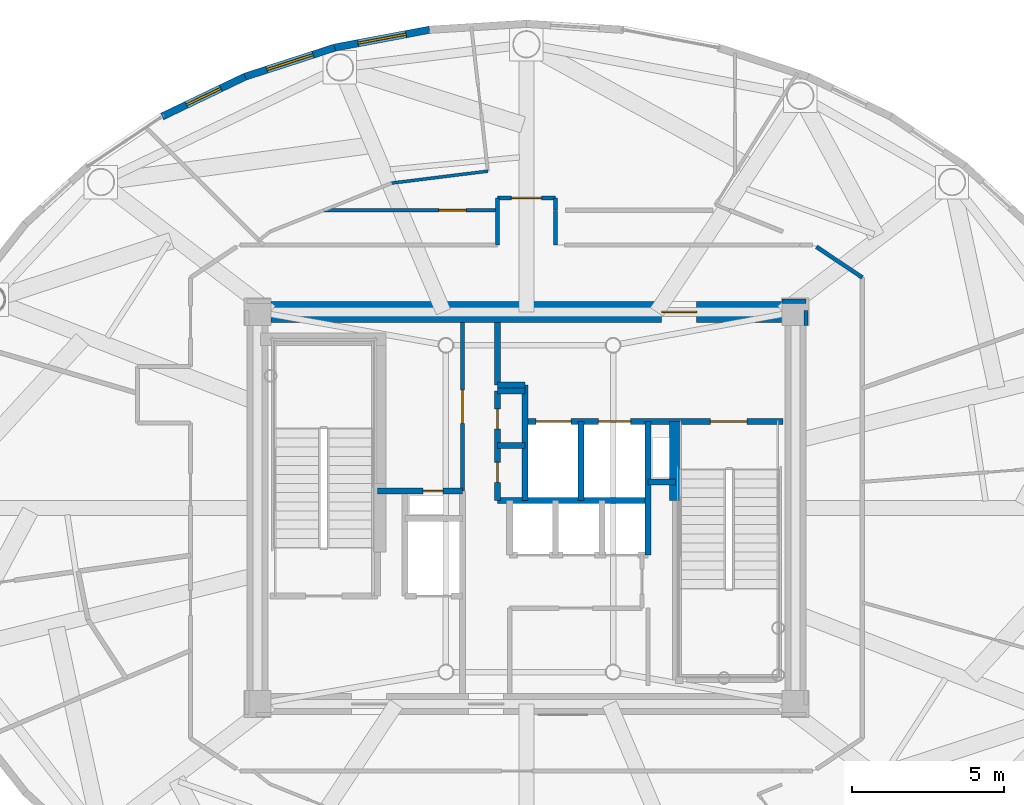
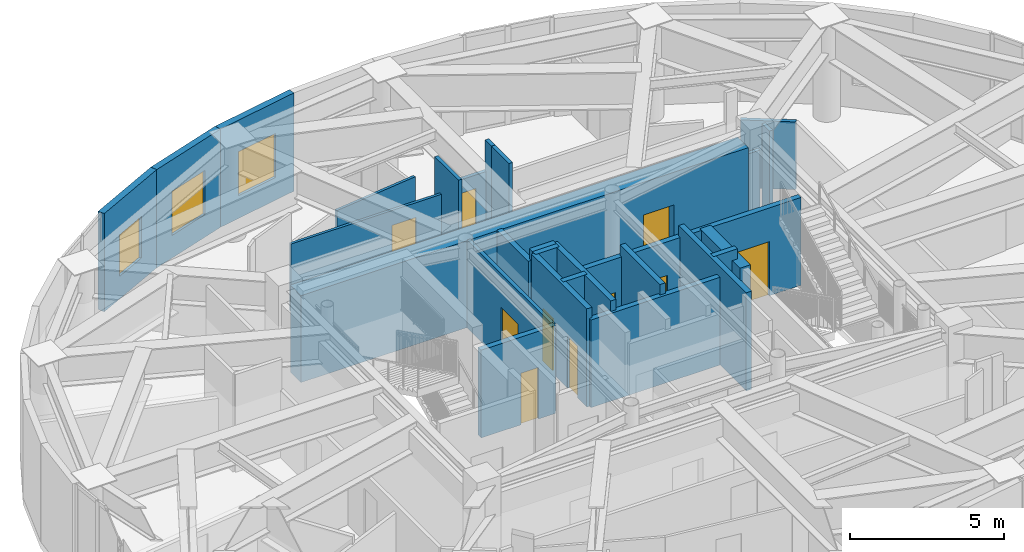
# One storey, part 16 of 23: 27 walls, 10 doors, 3 windows, 13 openings.
"""IFC4 building model written with IfcOpenShell, lengths in metres."""

from ifc_helpers import new_model, si_unit, direction, frame, frame_2d, origin, origin_2d, place, context, subcontext, project, spatial, rectangle, extrude, source, transform, mapped, material, layer, layer_set, type_object, element, fill, save


model = new_model("IFC4")

# Units and contexts
model_context = context("Model", 3, precision=1e-05, world=origin(), true_north=direction((0.0, 1.0)))
body_context = subcontext(model_context, "Body", "Model", "MODEL_VIEW")
ifc_project = project(units=[si_unit("LENGTHUNIT", "METRE"), si_unit("AREAUNIT", "SQUARE_METRE"), si_unit("VOLUMEUNIT", "CUBIC_METRE"), si_unit("PLANEANGLEUNIT", "RADIAN"), si_unit("MASSUNIT", "GRAM", prefix="KILO")], contexts=[model_context])

# Site, building, storey
site_placement = place(None, origin())
site = spatial("IfcSite", under=ifc_project, at=site_placement, CompositionType="ELEMENT")
building_placement = place(site_placement, origin())
building = spatial("IfcBuilding", under=site, at=building_placement, Name="Linh Dai School and Residence Tower", CompositionType="ELEMENT")
storey_placement = place(building_placement, frame((0.0, 0.0, 359.39990234375)))
storey = spatial("IfcBuildingStorey", under=building, at=storey_placement, Name="L89", CompositionType="ELEMENT", Elevation=359.39990234375)

# Wall, opening, window
ifc_material_1 = material(Name="Precast Concrete B45 (C35/45)", Category="concrete")
ifc_layer_1 = layer(ifc_material_1, 0.239990234375)
ifc_layer_set_1 = layer_set([ifc_layer_1], Name="Precast Concrete B45 (C35/45)")
wall_type_1 = type_object("IfcWallType", Name="EW-TC-240", PredefinedType="SOLIDWALL", material=ifc_layer_set_1)
wall_1_placement = place(storey_placement, frame((29.696044921875, 42.14794921875, 0.0), z_axis=(0.0, 0.0, 1.0), x_axis=(0.98276643264, 0.184851667226, 0.0)))
wall_1 = element("IfcWall", 1, at=wall_1_placement, inside=storey, type_object=wall_type_1, Name="L89 Terracotta Exterior Wall 12", PredefinedType="SOLIDWALL", context=body_context, shape_type="SweptSolid", body=[
    extrude(rectangle(XDim=3.167236328125, YDim=0.239990234375, at=frame_2d((1.58349609375, 0.0))), origin(), (0.0, 0.0, 1.0), 3.900146484375),
])
opening_1_placement = place(wall_1_placement, frame((0.78369140625, 0.0, 0.89990234375)))
opening_1 = element("IfcOpeningElement", 2, at=opening_1_placement, cuts=wall_1, Name="Opening W2", PredefinedType="OPENING", context=body_context, shape_type="SweptSolid", body=[
    extrude(rectangle(XDim=1.60009765625, YDim=1.75, at=origin_2d()), frame((0.800048828125, 0.1298828125, 0.875), z_axis=(0.0, -1.0, 0.0), x_axis=(1.0, 0.0, 0.0)), (0.0, 0.0, 1.0), 0.260009765625),
])
ifc_material_2 = material(Name="Double Low-E Insulated Glazing", Category="glass")
window_type_1 = type_object("IfcWindowType", Name="WN-RES-1600x1750", PartitioningType="DOUBLE_PANEL_VERTICAL", PredefinedType="WINDOW", material=ifc_material_2)
shared_shape_1 = source(origin(), body_context, "Body", "SweptSolid", [
    extrude(rectangle(XDim=1.60009765625, YDim=1.75, at=origin_2d()), frame((0.800048828125, 0.030029296875, 0.875), z_axis=(0.0, -1.0, 0.0), x_axis=(1.0, 0.0, 0.0)), (0.0, 0.0, 1.0), 0.06005859375),
])
window_1_placement = place(opening_1_placement, origin())
window_1 = element("IfcWindow", 3, at=window_1_placement, inside=storey, type_object=window_type_1, Name="L89 Exterior Window 12.1", OverallHeight=1.75, OverallWidth=1.60009765625, PartitioningType="DOUBLE_PANEL_VERTICAL", PredefinedType="WINDOW", context=body_context, shape_type="MappedRepresentation", body=[
    mapped(shared_shape_1, transform((0.0, 0.0, 0.0), x_axis=(1.0, 0.0, 0.0), y_axis=(0.0, 1.0, 0.0), z_axis=(0.0, 0.0, 1.0), scale=1.0)),
])
fill(opening_1, window_1)

wall_2_placement = place(storey_placement, frame((26.739501953125, 41.18896484375, 0.0), z_axis=(0.0, 0.0, 1.0), x_axis=(0.951212850731, 0.308535431682, 0.0)))
wall_2 = element("IfcWall", 4, at=wall_2_placement, inside=storey, type_object=wall_type_1, Name="L89 Terracotta Exterior Wall 13", PredefinedType="SOLIDWALL", context=body_context, shape_type="SweptSolid", body=[
    extrude(rectangle(XDim=3.108154296875, YDim=0.239990234375, at=frame_2d((1.55419921875, 0.0))), origin(), (0.0, 0.0, 1.0), 3.900146484375),
])
opening_2_placement = place(wall_2_placement, frame((0.754150390625, 0.0, 0.89990234375)))
opening_2 = element("IfcOpeningElement", 5, at=opening_2_placement, cuts=wall_2, Name="Opening W2", PredefinedType="OPENING", context=body_context, shape_type="SweptSolid", body=[
    extrude(rectangle(XDim=1.60009765625, YDim=1.75, at=origin_2d()), frame((0.800048828125, 0.1298828125, 0.875), z_axis=(0.0, -1.0, 0.0), x_axis=(1.0, 0.0, 0.0)), (0.0, 0.0, 1.0), 0.260009765625),
])
window_2_placement = place(opening_2_placement, origin())
window_2 = element("IfcWindow", 6, at=window_2_placement, inside=storey, type_object=window_type_1, Name="L89 Exterior Window 13.1", OverallHeight=1.75, OverallWidth=1.60009765625, PartitioningType="DOUBLE_PANEL_VERTICAL", PredefinedType="WINDOW", context=body_context, shape_type="MappedRepresentation", body=[
    mapped(shared_shape_1, transform((0.0, 0.0, 0.0), x_axis=(1.0, 0.0, 0.0), y_axis=(0.0, 1.0, 0.0), z_axis=(0.0, 0.0, 1.0), scale=1.0)),
])
fill(opening_2, window_2)

wall_3_placement = place(storey_placement, frame((24.01220703125, 39.880126953125, 0.0), z_axis=(0.0, 0.0, 1.0), x_axis=(0.901557057889, 0.432660226241, 0.0)))
wall_3 = element("IfcWall", 7, at=wall_3_placement, inside=storey, type_object=wall_type_1, Name="L89 Terracotta Exterior Wall 14", PredefinedType="SOLIDWALL", context=body_context, shape_type="SweptSolid", body=[
    extrude(rectangle(XDim=3.025146484375, YDim=0.239990234375, at=frame_2d((1.5126953125, 0.0))), origin(), (0.0, 0.0, 1.0), 3.900146484375),
])
opening_3_placement = place(wall_3_placement, frame((0.8876953125, 0.0, 0.89990234375)))
opening_3 = element("IfcOpeningElement", 8, at=opening_3_placement, cuts=wall_3, Name="Opening W3", PredefinedType="OPENING", context=body_context, shape_type="SweptSolid", body=[
    extrude(rectangle(XDim=1.25, YDim=1.64990234375, at=origin_2d()), frame((0.625, 0.1298828125, 0.824951171875), z_axis=(0.0, -1.0, 0.0), x_axis=(1.0, 0.0, 0.0)), (0.0, 0.0, 1.0), 0.260009765625),
])
window_type_2 = type_object("IfcWindowType", Name="WN-RES-1250x1650", PartitioningType="SINGLE_PANEL", PredefinedType="WINDOW", material=ifc_material_2)
shared_shape_2 = source(origin(), body_context, "Body", "SweptSolid", [
    extrude(rectangle(XDim=1.25, YDim=1.64990234375, at=origin_2d()), frame((0.625, 0.030029296875, 0.824951171875), z_axis=(0.0, -1.0, 0.0), x_axis=(1.0, 0.0, 0.0)), (0.0, 0.0, 1.0), 0.06005859375),
])
window_3_placement = place(opening_3_placement, origin())
window_3 = element("IfcWindow", 9, at=window_3_placement, inside=storey, type_object=window_type_2, Name="L89 Exterior Window 14.1", OverallHeight=1.64990234375, OverallWidth=1.25, PartitioningType="SINGLE_PANEL", PredefinedType="WINDOW", context=body_context, shape_type="MappedRepresentation", body=[
    mapped(shared_shape_2, transform((0.0, 0.0, 0.0), x_axis=(1.0, 0.0, 0.0), y_axis=(0.0, 1.0, 0.0), z_axis=(0.0, 0.0, 1.0), scale=1.0)),
])
fill(opening_3, window_3)

# Wall, opening, door
ifc_material_3 = material(Name="Autoclaved Aerated Concrete Blockwork", Category="masonry")
ifc_layer_2 = layer(ifc_material_3, 0.135009765625)
ifc_layer_set_2 = layer_set([ifc_layer_2], Name="Autoclaved Aerated Concrete Blockwork")
wall_type_2 = type_object("IfcWallType", Name="IW-CORR-135-EI90", PredefinedType="PARTITIONING", material=ifc_layer_set_2)
wall_4_placement = place(storey_placement, frame((33.89990234375, 27.56005859375, 0.0), z_axis=(0.0, 0.0, 1.0), x_axis=(0.0, 1.0, 0.0)))
wall_4 = element("IfcWall", 10, at=wall_4_placement, inside=storey, type_object=wall_type_2, Name="L89 Interior Partition Wall 032", PredefinedType="PARTITIONING", context=body_context, shape_type="SweptSolid", body=[
    extrude(rectangle(XDim=5.5400390625, YDim=0.135009765625, at=frame_2d((2.77001953125, 0.0))), origin(), (0.0, 0.0, 1.0), 3.485107421875),
])
opening_4_placement = place(wall_4_placement, frame((2.219970703125, 0.0, 0.0)))
opening_4 = element("IfcOpeningElement", 11, at=opening_4_placement, cuts=wall_4, Name="Opening D07", PredefinedType="OPENING", context=body_context, shape_type="SweptSolid", body=[
    extrude(rectangle(XDim=1.10009765625, YDim=2.14990234375, at=origin_2d()), frame((0.550048828125, 0.07763671875, 1.074951171875), z_axis=(0.0, -1.0, 0.0), x_axis=(1.0, 0.0, 0.0)), (0.0, 0.0, 1.0), 0.155029296875),
])
ifc_material_4 = material(Name="Fire-Rated Louvred Steel Plant Door", Category="steel")
door_type_1 = type_object("IfcDoorType", Name="DR-PLT-1100x2150-FD60S", OperationType="NOTDEFINED", PredefinedType="DOOR", material=ifc_material_4)
shared_shape_3 = source(origin(), body_context, "Body", "SweptSolid", [
    extrude(rectangle(XDim=1.10009765625, YDim=2.14990234375, at=origin_2d()), frame((0.550048828125, 0.02490234375, 1.074951171875), z_axis=(0.0, -1.0, 0.0), x_axis=(1.0, 0.0, 0.0)), (0.0, 0.0, 1.0), 0.050048828125),
])
door_1_placement = place(opening_4_placement, origin())
door_1 = element("IfcDoor", 12, at=door_1_placement, inside=storey, type_object=door_type_1, Name="L89 High-Zone Housekeeping Suite Door", OperationType="SINGLE_SWING_RIGHT", OverallHeight=2.14990234375, OverallWidth=1.10009765625, PredefinedType="DOOR", context=body_context, shape_type="MappedRepresentation", body=[
    mapped(shared_shape_3, transform((0.0, 0.0, 0.0), x_axis=(1.0, 0.0, 0.0), y_axis=(0.0, 1.0, 0.0), z_axis=(0.0, 0.0, 1.0), scale=1.0)),
])
fill(opening_4, door_1)

# Wall
wall_5_placement = place(storey_placement, frame((35.050048828125, 35.64990234375, 0.0), z_axis=(0.0, 0.0, 1.0), x_axis=(0.0, 1.0, 0.0)))
element("IfcWall", 13, at=wall_5_placement, inside=storey, type_object=wall_type_2, Name="L89 Interior Partition Wall 040", PredefinedType="PARTITIONING", context=body_context, shape_type="SweptSolid", body=[
    extrude(rectangle(XDim=1.550048828125, YDim=0.135009765625, at=frame_2d((0.77490234375, 0.0))), origin(), (0.0, 0.0, 1.0), 3.900146484375),
])

# Wall, opening, door
wall_6_placement = place(storey_placement, frame((35.050048828125, 37.199951171875, 0.0), z_axis=(0.0, 0.0, 1.0), x_axis=(1.0, 0.0, 0.0)))
wall_6 = element("IfcWall", 14, at=wall_6_placement, inside=storey, type_object=wall_type_2, Name="L89 Interior Partition Wall 041", PredefinedType="PARTITIONING", context=body_context, shape_type="SweptSolid", body=[
    extrude(rectangle(XDim=1.89990234375, YDim=0.135009765625, at=frame_2d((0.949951171875, 0.0))), origin(), (0.0, 0.0, 1.0), 2.68505859375),
])
opening_5_placement = place(wall_6_placement, frame((0.449951171875, 0.0, 0.0)))
opening_5 = element("IfcOpeningElement", 15, at=opening_5_placement, cuts=wall_6, Name="Opening D03", PredefinedType="OPENING", context=body_context, shape_type="SweptSolid", body=[
    extrude(rectangle(XDim=1.0, YDim=2.14990234375, at=origin_2d()), frame((0.5, 0.07763671875, 1.074951171875), z_axis=(0.0, -1.0, 0.0), x_axis=(1.0, 0.0, 0.0)), (0.0, 0.0, 1.0), 0.155029296875),
])
ifc_material_5 = material(Name="Fire-Rated Solid Timber Entrance Door", Category="wood")
door_type_2 = type_object("IfcDoorType", Name="DR-FLAT-1000x2150-FD60S", OperationType="NOTDEFINED", PredefinedType="DOOR", material=ifc_material_5)
shared_shape_4 = source(origin(), body_context, "Body", "SweptSolid", [
    extrude(rectangle(XDim=1.0, YDim=2.14990234375, at=origin_2d()), frame((0.5, 0.02490234375, 1.074951171875), z_axis=(0.0, -1.0, 0.0), x_axis=(1.0, 0.0, 0.0)), (0.0, 0.0, 1.0), 0.050048828125),
])
door_2_placement = place(opening_5_placement, origin())
door_2 = element("IfcDoor", 16, at=door_2_placement, inside=storey, type_object=door_type_2, Name="L89 U8902 Apartment Entrance Door", OperationType="SINGLE_SWING_RIGHT", OverallHeight=2.14990234375, OverallWidth=1.0, PredefinedType="DOOR", context=body_context, shape_type="MappedRepresentation", body=[
    mapped(shared_shape_4, transform((0.0, 0.0, 0.0), x_axis=(1.0, 0.0, 0.0), y_axis=(0.0, 1.0, 0.0), z_axis=(0.0, 0.0, 1.0), scale=1.0)),
])
fill(opening_5, door_2)

# Walls
wall_7_placement = place(storey_placement, frame((36.949951171875, 36.794921875, 0.0), z_axis=(0.0, 0.0, 1.0), x_axis=(0.0, 1.0, 0.0)))
element("IfcWall", 17, at=wall_7_placement, inside=storey, type_object=wall_type_2, Name="L89 Interior Partition Wall 051", PredefinedType="PARTITIONING", context=body_context, shape_type="SweptSolid", body=[
    extrude(rectangle(XDim=0.405029296875, YDim=0.135009765625, at=frame_2d((0.20263671875, 0.0))), origin(), (0.0, 0.0, 1.0), 3.900146484375),
])
wall_8_placement = place(storey_placement, frame((45.541259765625, 35.591796875, 0.0), z_axis=(0.0, 0.0, 1.0), x_axis=(0.831180227396, -0.556003084151, 0.0)))
element("IfcWall", 18, at=wall_8_placement, inside=storey, type_object=wall_type_2, Name="L89 Interior Partition Wall 069", PredefinedType="PARTITIONING", context=body_context, shape_type="SweptSolid", body=[
    extrude(rectangle(XDim=1.815185546875, YDim=0.135009765625, at=frame_2d((0.90771484375, 0.0))), origin(), (0.0, 0.0, 1.0), 2.68505859375),
])
wall_9_placement = place(storey_placement, frame((36.949951171875, 36.784912109375, 0.0), z_axis=(0.0, 0.0, 1.0), x_axis=(0.0, -1.0, 0.0)))
element("IfcWall", 19, at=wall_9_placement, inside=storey, type_object=wall_type_2, Name="L89 Interior Partition Wall 076", PredefinedType="PARTITIONING", context=body_context, shape_type="SweptSolid", body=[
    extrude(rectangle(XDim=1.135009765625, YDim=0.135009765625, at=frame_2d((0.5673828125, 0.0))), origin(), (0.0, 0.0, 1.0), 3.900146484375),
])
wall_10_placement = place(storey_placement, frame((45.199951171875, 33.800048828125, 0.0), z_axis=(0.0, 0.0, 1.0), x_axis=(-1.0, 0.0, 0.0)))
element("IfcWall", 20, at=wall_10_placement, inside=storey, type_object=wall_type_2, Name="L89 Interior Partition Wall 079", PredefinedType="PARTITIONING", context=body_context, shape_type="SweptSolid", body=[
    extrude(rectangle(XDim=0.7900390625, YDim=0.135009765625, at=frame_2d((0.39501953125, 0.0))), origin(), (0.0, 0.0, 1.0), 2.68505859375),
])
wall_11_placement = place(storey_placement, frame((45.199951171875, 33.010009765625, 0.0), z_axis=(0.0, 0.0, 1.0), x_axis=(0.0, 1.0, 0.0)))
element("IfcWall", 21, at=wall_11_placement, inside=storey, type_object=wall_type_2, Name="L89 Interior Partition Wall 086", PredefinedType="PARTITIONING", context=body_context, shape_type="SweptSolid", body=[
    extrude(rectangle(XDim=0.482421875, YDim=0.135009765625, at=frame_2d((0.2412109375, 0.0))), origin(), (0.0, 0.0, 1.0), 3.900146484375),
])

# Wall, opening, door
ifc_material_6 = material(Name="Concrete B45 (C35/45)", Category="concrete")
ifc_layer_3 = layer(ifc_material_6, 0.199951171875)
ifc_layer_set_3 = layer_set([ifc_layer_3], Name="Concrete B45 (C35/45)")
wall_type_3 = type_object("IfcWallType", Name="IW-SHAFT-200-EI120", PredefinedType="PARTITIONING", material=ifc_layer_set_3)
wall_12_placement = place(storey_placement, frame((31.10009765625, 27.550048828125, 0.0), z_axis=(0.0, 0.0, 1.0), x_axis=(1.0, 0.0, 0.0)))
wall_12 = element("IfcWall", 22, at=wall_12_placement, inside=storey, type_object=wall_type_3, Name="L89 Interior Partition Wall 025", PredefinedType="PARTITIONING", context=body_context, shape_type="SweptSolid", body=[
    extrude(rectangle(XDim=2.7998046875, YDim=0.199951171875, at=frame_2d((1.39990234375, 0.0))), origin(), (0.0, 0.0, 1.0), 3.485107421875),
])
opening_6_placement = place(wall_12_placement, frame((1.5, 0.0, 0.0)))
opening_6 = element("IfcOpeningElement", 23, at=opening_6_placement, cuts=wall_12, Name="Opening AD1", PredefinedType="OPENING", context=body_context, shape_type="SweptSolid", body=[
    extrude(rectangle(XDim=0.659912109375, YDim=2.050048828125, at=origin_2d()), frame((0.330078125, 0.10986328125, 1.02490234375), z_axis=(0.0, -1.0, 0.0), x_axis=(1.0, 0.0, 0.0)), (0.0, 0.0, 1.0), 0.219970703125),
])
ifc_material_7 = material(Name="Fire-Rated Steel Riser Access Door", Category="steel")
door_type_3 = type_object("IfcDoorType", Name="DR-ACC-660x2050-FD90S", OperationType="NOTDEFINED", PredefinedType="USERDEFINED", material=ifc_material_7)
shared_shape_5 = source(origin(), body_context, "Body", "SweptSolid", [
    extrude(rectangle(XDim=0.659912109375, YDim=2.050048828125, at=origin_2d()), frame((0.330078125, 0.02490234375, 1.02490234375), z_axis=(0.0, -1.0, 0.0), x_axis=(1.0, 0.0, 0.0)), (0.0, 0.0, 1.0), 0.050048828125),
])
door_3_placement = place(opening_6_placement, origin())
door_3 = element("IfcDoor", 24, at=door_3_placement, inside=storey, type_object=door_type_3, Name="L89 Main Electrical Riser Access Door", ObjectType="ACCESS DOOR", OperationType="SINGLE_SWING_RIGHT", OverallHeight=2.050048828125, OverallWidth=0.659912109375, PredefinedType="USERDEFINED", context=body_context, shape_type="MappedRepresentation", body=[
    mapped(shared_shape_5, transform((0.0, 0.0, 0.0), x_axis=(1.0, 0.0, 0.0), y_axis=(0.0, 1.0, 0.0), z_axis=(0.0, 0.0, 1.0), scale=1.0)),
])
fill(opening_6, door_3)

# Wall, openings, doors
wall_13_placement = place(storey_placement, frame((35.050048828125, 27.25, 0.0), z_axis=(0.0, 0.0, 1.0), x_axis=(0.0, 1.0, 0.0)))
wall_13 = element("IfcWall", 25, at=wall_13_placement, inside=storey, type_object=wall_type_3, Name="L89 Interior Partition Wall 034", PredefinedType="PARTITIONING", context=body_context, shape_type="SweptSolid", body=[
    extrude(rectangle(XDim=3.60009765625, YDim=0.199951171875, at=frame_2d((1.800048828125, 0.0))), origin(), (0.0, 0.0, 1.0), 3.900146484375),
])
opening_7_placement = place(wall_13_placement, frame((0.590087890625, 0.0, 0.0)))
opening_7 = element("IfcOpeningElement", 26, at=opening_7_placement, cuts=wall_13, Name="Opening AD1", PredefinedType="OPENING", context=body_context, shape_type="SweptSolid", body=[
    extrude(rectangle(XDim=0.659912109375, YDim=2.050048828125, at=origin_2d()), frame((0.330078125, 0.10986328125, 1.02490234375), z_axis=(0.0, -1.0, 0.0), x_axis=(1.0, 0.0, 0.0)), (0.0, 0.0, 1.0), 0.219970703125),
])
opening_8_placement = place(wall_13_placement, frame((2.35009765625, 0.0, 0.0)))
opening_8 = element("IfcOpeningElement", 27, at=opening_8_placement, cuts=wall_13, Name="Opening AD1", PredefinedType="OPENING", context=body_context, shape_type="SweptSolid", body=[
    extrude(rectangle(XDim=0.659912109375, YDim=2.050048828125, at=origin_2d()), frame((0.330078125, 0.10986328125, 1.02490234375), z_axis=(0.0, -1.0, 0.0), x_axis=(1.0, 0.0, 0.0)), (0.0, 0.0, 1.0), 0.219970703125),
])
door_4_placement = place(opening_7_placement, origin())
door_4 = element("IfcDoor", 28, at=door_4_placement, inside=storey, type_object=door_type_3, Name="L89 Telecom and Data Riser Access Door", ObjectType="ACCESS DOOR", OperationType="SINGLE_SWING_LEFT", OverallHeight=2.050048828125, OverallWidth=0.659912109375, PredefinedType="USERDEFINED", context=body_context, shape_type="MappedRepresentation", body=[
    mapped(shared_shape_5, transform((0.0, 0.0, 0.0), x_axis=(1.0, 0.0, 0.0), y_axis=(0.0, 1.0, 0.0), z_axis=(0.0, 0.0, 1.0), scale=1.0)),
])
fill(opening_7, door_4)
door_5_placement = place(opening_8_placement, origin())
door_5 = element("IfcDoor", 29, at=door_5_placement, inside=storey, type_object=door_type_3, Name="L89 Mechanical and Plumbing Riser Access Door", ObjectType="ACCESS DOOR", OperationType="SINGLE_SWING_RIGHT", OverallHeight=2.050048828125, OverallWidth=0.659912109375, PredefinedType="USERDEFINED", context=body_context, shape_type="MappedRepresentation", body=[
    mapped(shared_shape_5, transform((0.0, 0.0, 0.0), x_axis=(1.0, 0.0, 0.0), y_axis=(0.0, 1.0, 0.0), z_axis=(0.0, 0.0, 1.0), scale=1.0)),
])
fill(opening_8, door_5)

# Walls
wall_14_placement = place(storey_placement, frame((35.050048828125, 27.25, 0.0), z_axis=(0.0, 0.0, 1.0), x_axis=(1.0, 0.0, 0.0)))
element("IfcWall", 30, at=wall_14_placement, inside=storey, type_object=wall_type_3, Name="L89 Interior Partition Wall 035", PredefinedType="PARTITIONING", context=body_context, shape_type="SweptSolid", body=[
    extrude(rectangle(XDim=4.949951171875, YDim=0.199951171875, at=frame_2d((2.47509765625, 0.0))), origin(), (0.0, 0.0, 1.0), 3.485107421875),
])
for number, where, z_axis, x_axis, name in (
    (31, (35.050048828125, 29.050048828125, 0.0), (0.0, 0.0, 1.0), (1.0, 0.0, 0.0), "L89 Interior Partition Wall 036"),
    (32, (35.050048828125, 30.85009765625, 0.0), (0.0, 0.0, 1.0), (1.0, 0.0, 0.0), "L89 Interior Partition Wall 037"),
):
    element("IfcWall", number, at=place(storey_placement, frame(where, z_axis=z_axis, x_axis=x_axis)), inside=storey, type_object=wall_type_3, Name=name, PredefinedType="PARTITIONING", context=body_context, shape_type="SweptSolid", body=[
        extrude(rectangle(XDim=0.89990234375, YDim=0.199951171875, at=frame_2d((0.449951171875, 0.0))), origin(), (0.0, 0.0, 1.0), 3.900146484375),
    ])
wall_15_placement = place(storey_placement, frame((35.050048828125, 31.050048828125, 0.0), z_axis=(0.0, 0.0, 1.0), x_axis=(0.0, 1.0, 0.0)))
element("IfcWall", 33, at=wall_15_placement, inside=storey, type_object=wall_type_3, Name="L89 Interior Partition Wall 038", PredefinedType="PARTITIONING", context=body_context, shape_type="SweptSolid", body=[
    extrude(rectangle(XDim=2.050048828125, YDim=0.199951171875, at=frame_2d((1.02490234375, 0.0))), origin(), (0.0, 0.0, 1.0), 3.485107421875),
])
wall_16_placement = place(storey_placement, frame((35.050048828125, 31.050048828125, 0.0), z_axis=(0.0, 0.0, 1.0), x_axis=(1.0, 0.0, 0.0)))
element("IfcWall", 34, at=wall_16_placement, inside=storey, type_object=wall_type_3, Name="L89 Interior Partition Wall 039", PredefinedType="PARTITIONING", context=body_context, shape_type="SweptSolid", body=[
    extrude(rectangle(XDim=0.89990234375, YDim=0.199951171875, at=frame_2d((0.449951171875, 0.0))), origin(), (0.0, 0.0, 1.0), 3.900146484375),
])
wall_17_placement = place(storey_placement, frame((35.949951171875, 27.25, 0.0), z_axis=(0.0, 0.0, 1.0), x_axis=(0.0, 1.0, 0.0)))
element("IfcWall", 35, at=wall_17_placement, inside=storey, type_object=wall_type_3, Name="L89 Interior Partition Wall 046", PredefinedType="PARTITIONING", context=body_context, shape_type="SweptSolid", body=[
    extrude(rectangle(XDim=3.800048828125, YDim=0.199951171875, at=frame_2d((1.89990234375, 0.0))), origin(), (0.0, 0.0, 1.0), 3.900146484375),
])

# Wall, openings, doors
wall_18_placement = place(storey_placement, frame((35.949951171875, 29.85009765625, 0.0), z_axis=(0.0, 0.0, 1.0), x_axis=(1.0, 0.0, 0.0)))
wall_18 = element("IfcWall", 36, at=wall_18_placement, inside=storey, type_object=wall_type_3, Name="L89 Interior Partition Wall 047", PredefinedType="PARTITIONING", context=body_context, shape_type="SweptSolid", body=[
    extrude(rectangle(XDim=8.489990234375, YDim=0.199951171875, at=frame_2d((4.2451171875, 0.0))), origin(), (0.0, 0.0, 1.0), 3.485107421875),
])
opening_9_placement = place(wall_18_placement, frame((6.10009765625, 0.0, 0.0)))
opening_9 = element("IfcOpeningElement", 37, at=opening_9_placement, cuts=wall_18, Name="Opening D01", PredefinedType="OPENING", context=body_context, shape_type="SweptSolid", body=[
    extrude(rectangle(XDim=1.199951171875, YDim=2.14990234375, at=origin_2d()), frame((0.60009765625, 0.10986328125, 1.074951171875), z_axis=(0.0, -1.0, 0.0), x_axis=(1.0, 0.0, 0.0)), (0.0, 0.0, 1.0), 0.219970703125),
])
opening_10_placement = place(wall_18_placement, frame((0.3701171875, 0.0, 0.0)))
opening_10 = element("IfcOpeningElement", 38, at=opening_10_placement, cuts=wall_18, Name="Opening LD-FF1", PredefinedType="OPENING", context=body_context, shape_type="SweptSolid", body=[
    extrude(rectangle(XDim=1.14990234375, YDim=2.14990234375, at=origin_2d()), frame((0.574951171875, 0.10986328125, 1.074951171875), z_axis=(0.0, -1.0, 0.0), x_axis=(1.0, 0.0, 0.0)), (0.0, 0.0, 1.0), 0.219970703125),
])
opening_11_placement = place(wall_18_placement, frame((2.425048828125, 0.0, 0.0)))
opening_11 = element("IfcOpeningElement", 39, at=opening_11_placement, cuts=wall_18, Name="Opening LD-SV1", PredefinedType="OPENING", context=body_context, shape_type="SweptSolid", body=[
    extrude(rectangle(XDim=1.050048828125, YDim=2.14990234375, at=origin_2d()), frame((0.52490234375, 0.10986328125, 1.074951171875), z_axis=(0.0, -1.0, 0.0), x_axis=(1.0, 0.0, 0.0)), (0.0, 0.0, 1.0), 0.219970703125),
])
ifc_material_8 = material(Name="Fire-Rated Steel Door Leaf", Category="steel")
door_type_4 = type_object("IfcDoorType", Name="DR-STAIR-1200x2150-FD90S", OperationType="NOTDEFINED", PredefinedType="DOOR", material=ifc_material_8)
shared_shape_6 = source(origin(), body_context, "Body", "SweptSolid", [
    extrude(rectangle(XDim=1.199951171875, YDim=2.14990234375, at=origin_2d()), frame((0.60009765625, 0.02490234375, 1.074951171875), z_axis=(0.0, -1.0, 0.0), x_axis=(1.0, 0.0, 0.0)), (0.0, 0.0, 1.0), 0.050048828125),
])
door_6_placement = place(opening_9_placement, origin())
door_6 = element("IfcDoor", 40, at=door_6_placement, inside=storey, type_object=door_type_4, Name="L89 Core Smokeproof Exit Stair ST2 Door", OperationType="SINGLE_SWING_LEFT", OverallHeight=2.14990234375, OverallWidth=1.199951171875, PredefinedType="DOOR", context=body_context, shape_type="MappedRepresentation", body=[
    mapped(shared_shape_6, transform((0.0, 0.0, 0.0), x_axis=(1.0, 0.0, 0.0), y_axis=(0.0, 1.0, 0.0), z_axis=(0.0, 0.0, 1.0), scale=1.0)),
])
fill(opening_9, door_6)
ifc_material_9 = material(Name="Fire-Rated Stainless Steel Firefighting Lift Door", Category="steel")
door_type_5 = type_object("IfcDoorType", Name="DR-LD-FF-1150x2150-FD120", OperationType="DOUBLE_DOOR_SLIDING", PredefinedType="USERDEFINED", material=ifc_material_9)
shared_shape_7 = source(origin(), body_context, "Body", "SweptSolid", [
    extrude(rectangle(XDim=1.14990234375, YDim=2.14990234375, at=origin_2d()), frame((0.574951171875, 0.02490234375, 1.074951171875), z_axis=(0.0, -1.0, 0.0), x_axis=(1.0, 0.0, 0.0)), (0.0, 0.0, 1.0), 0.050048828125),
])
door_7_placement = place(opening_10_placement, origin())
door_7 = element("IfcDoor", 41, at=door_7_placement, inside=storey, type_object=door_type_5, Name="L89 Lift FF1 Sliding Landing Door", ObjectType="LANDING DOOR", OperationType="DOUBLE_DOOR_SLIDING", OverallHeight=2.14990234375, OverallWidth=1.14990234375, PredefinedType="USERDEFINED", context=body_context, shape_type="MappedRepresentation", body=[
    mapped(shared_shape_7, transform((0.0, 0.0, 0.0), x_axis=(1.0, 0.0, 0.0), y_axis=(0.0, 1.0, 0.0), z_axis=(0.0, 0.0, 1.0), scale=1.0)),
])
fill(opening_10, door_7)
ifc_material_10 = material(Name="Brushed Stainless Steel Lift Landing Door", Category="steel")
door_type_6 = type_object("IfcDoorType", Name="DR-LD-PASS-1050x2150", OperationType="DOUBLE_DOOR_SLIDING", PredefinedType="USERDEFINED", material=ifc_material_10)
shared_shape_8 = source(origin(), body_context, "Body", "SweptSolid", [
    extrude(rectangle(XDim=1.050048828125, YDim=2.14990234375, at=origin_2d()), frame((0.52490234375, 0.02490234375, 1.074951171875), z_axis=(0.0, -1.0, 0.0), x_axis=(1.0, 0.0, 0.0)), (0.0, 0.0, 1.0), 0.050048828125),
])
door_8_placement = place(opening_11_placement, origin())
door_8 = element("IfcDoor", 42, at=door_8_placement, inside=storey, type_object=door_type_6, Name="L89 Lift SV1 Sliding Landing Door", ObjectType="LANDING DOOR", OperationType="DOUBLE_DOOR_SLIDING", OverallHeight=2.14990234375, OverallWidth=1.050048828125, PredefinedType="USERDEFINED", context=body_context, shape_type="MappedRepresentation", body=[
    mapped(shared_shape_8, transform((0.0, 0.0, 0.0), x_axis=(1.0, 0.0, 0.0), y_axis=(0.0, 1.0, 0.0), z_axis=(0.0, 0.0, 1.0), scale=1.0)),
])
fill(opening_11, door_8)

# Walls
wall_19_placement = place(storey_placement, frame((37.800048828125, 27.25, 0.0), z_axis=(0.0, 0.0, 1.0), x_axis=(0.0, 1.0, 0.0)))
element("IfcWall", 43, at=wall_19_placement, inside=storey, type_object=wall_type_3, Name="L89 Interior Partition Wall 053", PredefinedType="PARTITIONING", context=body_context, shape_type="SweptSolid", body=[
    extrude(rectangle(XDim=2.60009765625, YDim=0.199951171875, at=frame_2d((1.300048828125, 0.0))), origin(), (0.0, 0.0, 1.0), 3.900146484375),
])
wall_20_placement = place(storey_placement, frame((40.0, 25.449951171875, 0.0), z_axis=(0.0, 0.0, 1.0), x_axis=(0.0, 1.0, 0.0)))
element("IfcWall", 44, at=wall_20_placement, inside=storey, type_object=wall_type_3, Name="L89 Interior Partition Wall 056", PredefinedType="PARTITIONING", context=body_context, shape_type="SweptSolid", body=[
    extrude(rectangle(XDim=4.400146484375, YDim=0.199951171875, at=frame_2d((2.2001953125, 0.0))), origin(), (0.0, 0.0, 1.0), 3.900146484375),
])
wall_21_placement = place(storey_placement, frame((40.0, 27.85009765625, 0.0), z_axis=(0.0, 0.0, 1.0), x_axis=(1.0, 0.0, 0.0)))
element("IfcWall", 45, at=wall_21_placement, inside=storey, type_object=wall_type_3, Name="L89 Interior Partition Wall 057", PredefinedType="PARTITIONING", context=body_context, shape_type="SweptSolid", body=[
    extrude(rectangle(XDim=0.89990234375, YDim=0.199951171875, at=frame_2d((0.449951171875, 0.0))), origin(), (0.0, 0.0, 1.0), 3.900146484375),
])

# Wall, opening, door
ifc_material_11 = material(Name="Gypsum Plasterboard Acoustic Stud Partition", Category="masonry")
ifc_layer_4 = layer(ifc_material_11, 0.10009765625)
ifc_layer_set_4 = layer_set([ifc_layer_4], Name="Gypsum Plasterboard Acoustic Stud Partition")
wall_type_4 = type_object("IfcWallType", Name="IW-UNIT-100", PredefinedType="PARTITIONING", material=ifc_layer_set_4)
wall_22_placement = place(storey_placement, frame((29.333740234375, 36.794921875, 0.0), z_axis=(0.0, 0.0, 1.0), x_axis=(1.0, 0.0, 0.0)))
wall_22 = element("IfcWall", 46, at=wall_22_placement, inside=storey, type_object=wall_type_4, Name="L89 Interior Partition Wall 023", PredefinedType="PARTITIONING", context=body_context, shape_type="SweptSolid", body=[
    extrude(rectangle(XDim=5.71630859375, YDim=0.10009765625, at=frame_2d((2.858154296875, 0.0))), origin(), (0.0, 0.0, 1.0), 2.68505859375),
])
opening_12_placement = place(wall_22_placement, frame((3.781005859375, 0.0, 0.0)))
opening_12 = element("IfcOpeningElement", 47, at=opening_12_placement, cuts=wall_22, Name="Opening D05", PredefinedType="OPENING", context=body_context, shape_type="SweptSolid", body=[
    extrude(rectangle(XDim=0.89990234375, YDim=2.10009765625, at=origin_2d()), frame((0.449951171875, 0.06005859375, 1.050048828125), z_axis=(0.0, -1.0, 0.0), x_axis=(1.0, 0.0, 0.0)), (0.0, 0.0, 1.0), 0.1201171875),
])
ifc_material_12 = material(Name="Engineered Timber Internal Door", Category="wood")
door_type_7 = type_object("IfcDoorType", Name="DR-INT-900x2100", OperationType="NOTDEFINED", PredefinedType="DOOR", material=ifc_material_12)
shared_shape_9 = source(origin(), body_context, "Body", "SweptSolid", [
    extrude(rectangle(XDim=0.89990234375, YDim=2.10009765625, at=origin_2d()), frame((0.449951171875, 0.02490234375, 1.050048828125), z_axis=(0.0, -1.0, 0.0), x_axis=(1.0, 0.0, 0.0)), (0.0, 0.0, 1.0), 0.050048828125),
])
door_9_placement = place(opening_12_placement, origin())
door_9 = element("IfcDoor", 48, at=door_9_placement, inside=storey, type_object=door_type_7, Name="L89 Apartment U8902 Kitchen Door", OperationType="SINGLE_SWING_RIGHT", OverallHeight=2.10009765625, OverallWidth=0.89990234375, PredefinedType="DOOR", context=body_context, shape_type="MappedRepresentation", body=[
    mapped(shared_shape_9, transform((0.0, 0.0, 0.0), x_axis=(1.0, 0.0, 0.0), y_axis=(0.0, 1.0, 0.0), z_axis=(0.0, 0.0, 1.0), scale=1.0)),
])
fill(opening_12, door_9)

# Walls
wall_23_placement = place(storey_placement, frame((31.565673828125, 37.6884765625, 0.0), z_axis=(0.0, 0.0, 1.0), x_axis=(0.992392878514, 0.123111228873, 0.0)))
element("IfcWall", 49, at=wall_23_placement, inside=storey, type_object=wall_type_4, Name="L89 Interior Partition Wall 027", PredefinedType="PARTITIONING", context=body_context, shape_type="SweptSolid", body=[
    extrude(rectangle(XDim=3.188720703125, YDim=0.10009765625, at=frame_2d((1.59423828125, 0.0))), origin(), (0.0, 0.0, 1.0), 2.68505859375),
])
ifc_layer_5 = layer(ifc_material_6, 0.39990234375)
ifc_layer_set_5 = layer_set([ifc_layer_5], Name="Concrete B45 (C35/45)")
wall_type_5 = type_object("IfcWallType", Name="WL-CORE400", PredefinedType="SHEAR", material=ifc_layer_set_5)
wall_24_placement = place(storey_placement, frame((40.89990234375, 27.25, 0.0), z_axis=(0.0, 0.0, 1.0), x_axis=(0.0, 1.0, 0.0)))
element("IfcWall", 50, at=wall_24_placement, inside=storey, type_object=wall_type_5, Name="L89 Internal Core Shear Wall IE", PredefinedType="SHEAR", context=body_context, shape_type="SweptSolid", body=[
    extrude(rectangle(XDim=2.60009765625, YDim=0.39990234375, at=frame_2d((1.300048828125, 0.0))), origin(), (0.0, 0.0, 1.0), 3.5),
])

# Wall, opening, door
ifc_layer_6 = layer(ifc_material_6, 0.699951171875)
ifc_layer_set_6 = layer_set([ifc_layer_6], Name="Concrete B45 (C35/45)")
wall_type_6 = type_object("IfcWallType", Name="WL-CORE700", PredefinedType="SHEAR", material=ifc_layer_set_6)
wall_25_placement = place(storey_placement, frame((27.60009765625, 33.449951171875, 0.0), z_axis=(0.0, 0.0, 1.0), x_axis=(1.0, 0.0, 0.0)))
wall_25 = element("IfcWall", 51, at=wall_25_placement, inside=storey, type_object=wall_type_6, Name="L89 Central Core Shear Wall N", PredefinedType="SHEAR", context=body_context, shape_type="SweptSolid", body=[
    extrude(rectangle(XDim=16.7998046875, YDim=0.699951171875, at=frame_2d((8.39990234375, 0.0))), origin(), (0.0, 0.0, 1.0), 3.4501953125),
])
opening_13_placement = place(wall_25_placement, frame((12.85009765625, 0.0, 0.0)))
opening_13 = element("IfcOpeningElement", 52, at=opening_13_placement, cuts=wall_25, Name="Opening D02", PredefinedType="OPENING", context=body_context, shape_type="SweptSolid", body=[
    extrude(rectangle(XDim=1.14990234375, YDim=2.14990234375, at=origin_2d()), frame((0.574951171875, 0.35986328125, 1.074951171875), z_axis=(0.0, -1.0, 0.0), x_axis=(1.0, 0.0, 0.0)), (0.0, 0.0, 1.0), 0.719970703125),
])
ifc_material_13 = material(Name="Fire-Rated Glazed Steel Lobby Door", Category="steel")
door_type_8 = type_object("IfcDoorType", Name="DR-LOBBY-1150x2150-FD90S", OperationType="NOTDEFINED", PredefinedType="DOOR", material=ifc_material_13)
shared_shape_10 = source(origin(), body_context, "Body", "SweptSolid", [
    extrude(rectangle(XDim=1.14990234375, YDim=2.14990234375, at=origin_2d()), frame((0.574951171875, 0.02490234375, 1.074951171875), z_axis=(0.0, -1.0, 0.0), x_axis=(1.0, 0.0, 0.0)), (0.0, 0.0, 1.0), 0.050048828125),
])
door_10_placement = place(opening_13_placement, origin())
door_10 = element("IfcDoor", 53, at=door_10_placement, inside=storey, type_object=door_type_8, Name="L89 Firefighting Lobby Door", OperationType="SINGLE_SWING_RIGHT", OverallHeight=2.14990234375, OverallWidth=1.14990234375, PredefinedType="DOOR", context=body_context, shape_type="MappedRepresentation", body=[
    mapped(shared_shape_10, transform((0.0, 0.0, 0.0), x_axis=(1.0, 0.0, 0.0), y_axis=(0.0, 1.0, 0.0), z_axis=(0.0, 0.0, 1.0), scale=1.0)),
])
fill(opening_13, door_10)

save(model, "model.ifc")
